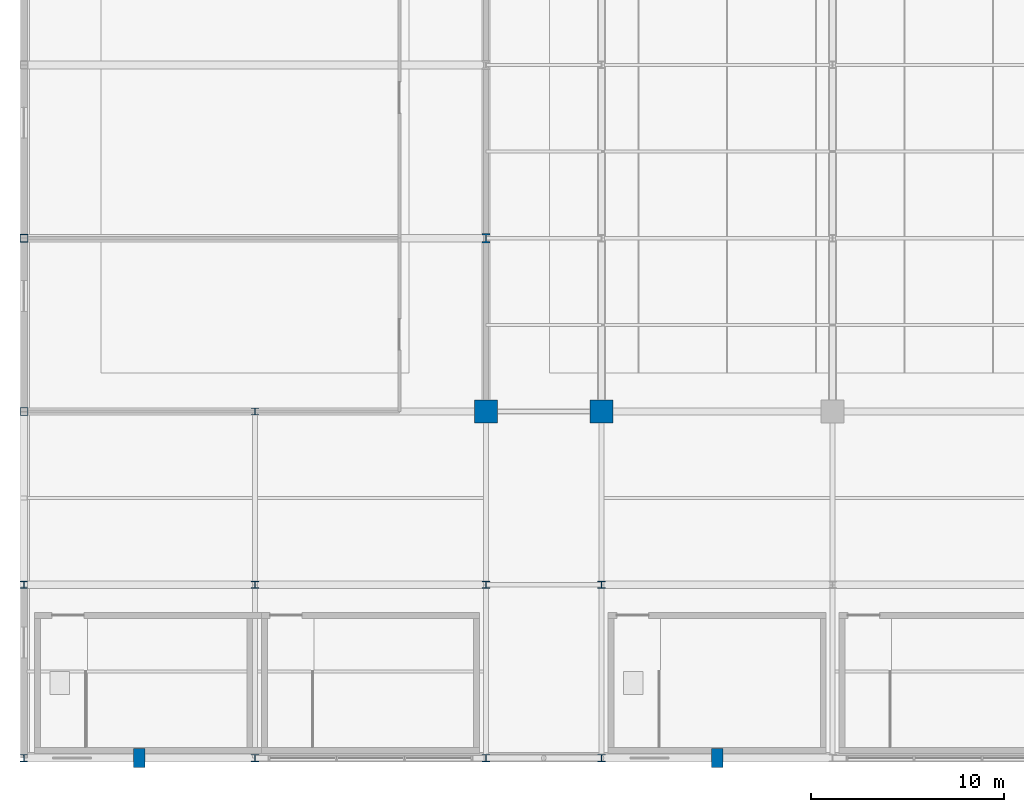
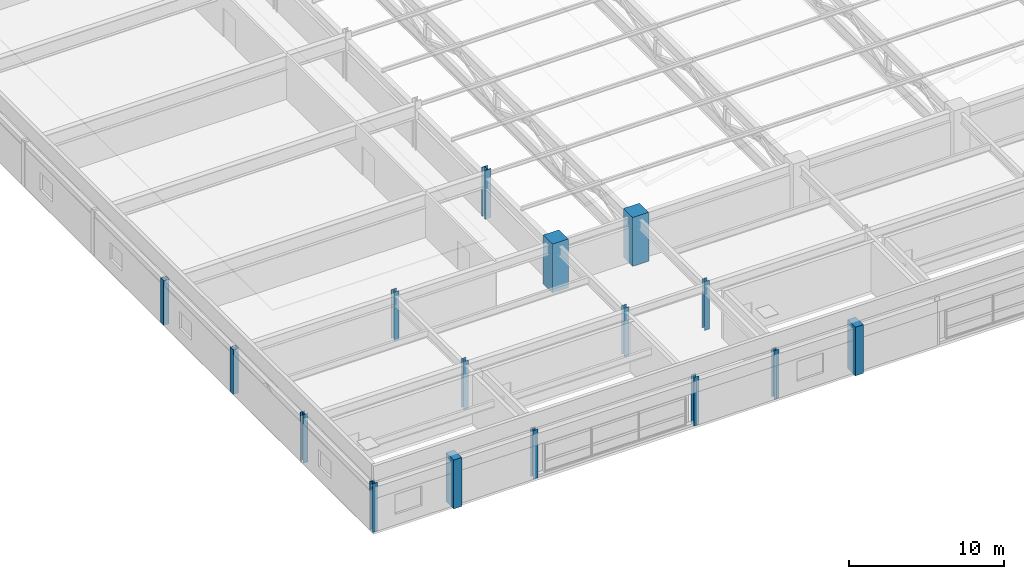
# One storey, part 1 of 108: 16 columns.
"""IFC4 building model written with IfcOpenShell, lengths in metres."""

from ifc_helpers import new_model, si_unit, direction, frame, origin, origin_2d, place, context, subcontext, project, spatial, rectangle, hollow_rectangle, i_section, extrude, material, material_profile, profile_set, type_object, element, save


model = new_model("IFC4")

# Units and contexts
model_context = context("Model", 3, precision=1e-05, world=origin(), true_north=direction((0.0, 1.0)))
body_context = subcontext(model_context, "Body", "Model", "MODEL_VIEW")
ifc_project = project(units=[si_unit("LENGTHUNIT", "METRE"), si_unit("AREAUNIT", "SQUARE_METRE"), si_unit("VOLUMEUNIT", "CUBIC_METRE"), si_unit("PLANEANGLEUNIT", "RADIAN"), si_unit("MASSUNIT", "GRAM", prefix="KILO")], contexts=[model_context])

# Site, building, storey
site_placement = place(None, origin())
site = spatial("IfcSite", under=ifc_project, at=site_placement, CompositionType="ELEMENT")
building_placement = place(site_placement, origin())
building = spatial("IfcBuilding", under=site, at=building_placement, Name="Kaldorvane Square Convention Centre", CompositionType="ELEMENT")
storey_placement = place(building_placement, frame((0.0, 0.0, 23.399993896484375)))
storey = spatial("IfcBuildingStorey", under=building, at=storey_placement, Name="L04", CompositionType="ELEMENT", Elevation=23.399993896484375)

# Columns
ifc_material_1 = material(Name="Steel ASTM A500 Gr. C", Category="steel")
ifc_material_profile_1 = material_profile(ifc_material_1, hollow_rectangle(XDim=0.406402587890625, YDim=0.406402587890625, WallThickness=0.014801025390625, at=origin_2d()), Name="HSS16X16X5/8")
ifc_profile_set_1 = profile_set([ifc_material_profile_1], Name="Steel ASTM A500 Gr. C")
column_type_1 = type_object("IfcColumnType", Name="COL-HSS-16", PredefinedType="COLUMN", material=ifc_profile_set_1)
for number, where, z_axis, x_axis, name in (
    (1, (0.0, 18.0, 0.0), (0.0, 0.0, 1.0), (1.0, 0.0, 0.0), "Column SC-14 (L04)"),
    (2, (0.0, 27.0, 0.0), (0.0, 0.0, 1.0), (1.0, 0.0, 0.0), "Column SC-14 (L04)"),
):
    element("IfcColumn", number, at=place(storey_placement, frame(where, z_axis=z_axis, x_axis=x_axis)), inside=storey, type_object=column_type_1, Name=name, PredefinedType="COLUMN", context=body_context, shape_type="SweptSolid", body=[
        extrude(hollow_rectangle(XDim=0.406402587890625, YDim=0.406402587890625, WallThickness=0.014801025390625, at=origin_2d()), origin(), (0.0, 0.0, 1.0), 3.529998779296875),
    ])
ifc_material_2 = material(Name="Concrete f'c = 55 MPa (Normalweight)", Category="concrete")
ifc_material_profile_2 = material_profile(ifc_material_2, rectangle(XDim=1.1999969482421875, YDim=1.1999969482421875, at=origin_2d()), Name="RC1200X1200")
ifc_profile_set_2 = profile_set([ifc_material_profile_2], Name="Concrete f'c = 55 MPa (Normalweight)")
column_type_2 = type_object("IfcColumnType", Name="COL-MEGA-1200", PredefinedType="COLUMN", material=ifc_profile_set_2)
for number, where, z_axis, x_axis, name in (
    (3, (24.0, 18.0, 0.0), (0.0, 0.0, 1.0), (1.0, 0.0, 0.0), "Column MC-02 (L04)"),
    (4, (30.0, 18.0, 0.0), (0.0, 0.0, 1.0), (1.0, 0.0, 0.0), "Column MC-02 (L04)"),
):
    element("IfcColumn", number, at=place(storey_placement, frame(where, z_axis=z_axis, x_axis=x_axis)), inside=storey, type_object=column_type_2, Name=name, PredefinedType="COLUMN", context=body_context, shape_type="SweptSolid", body=[
        extrude(rectangle(XDim=1.1999969482421875, YDim=1.1999969482421875, at=origin_2d()), origin(), (0.0, 0.0, 1.0), 3.850006103515625),
    ])
ifc_material_3 = material(Name="Steel ASTM A992 Gr. 50", Category="steel")
ifc_material_profile_3 = material_profile(ifc_material_3, i_section(OverallWidth=0.424102783203125, OverallDepth=0.4741973876953125, WebThickness=0.047607421875, FlangeThickness=0.0771026611328125, FilletRadius=0.0305023193359375, at=origin_2d()), Name="W14X426")
ifc_profile_set_3 = profile_set([ifc_material_profile_3], Name="Steel ASTM A992 Gr. 50")
column_type_3 = type_object("IfcColumnType", Name="COL-STL-426", PredefinedType="COLUMN", material=ifc_profile_set_3)
column_placement = place(storey_placement, frame((24.0, 27.0, 0.0), z_axis=(0.0, 0.0, 1.0), x_axis=(1.0, 0.0, 0.0)))
element("IfcColumn", 5, at=column_placement, inside=storey, type_object=column_type_3, Name="Column SC-04 (L04)", PredefinedType="COLUMN", context=body_context, shape_type="SweptSolid", body=[
    extrude(i_section(OverallWidth=0.424102783203125, OverallDepth=0.4741973876953125, WebThickness=0.047607421875, FlangeThickness=0.0771026611328125, FilletRadius=0.0305023193359375, at=origin_2d()), origin(), (0.0, 0.0, 1.0), 3.850006103515625),
])
ifc_material_profile_4 = material_profile(ifc_material_3, i_section(OverallWidth=0.3701019287109375, OverallDepth=0.360198974609375, WebThickness=0.012298583984375, FlangeThickness=0.019805908203125, FilletRadius=0.0305023193359375, at=origin_2d()), Name="W14X99")
ifc_profile_set_4 = profile_set([ifc_material_profile_4], Name="Steel ASTM A992 Gr. 50")
column_type_4 = type_object("IfcColumnType", Name="COL-STL-99", PredefinedType="COLUMN", material=ifc_profile_set_4)
for number, where, z_axis, x_axis, name in (
    (6, (0.0, 0.0, 0.0), (0.0, 0.0, 1.0), (1.0, 0.0, 0.0), "Column SC-12 (L04)"),
    (7, (0.0, 9.0, 0.0), (0.0, 0.0, 1.0), (1.0, 0.0, 0.0), "Column SC-12 (L04)"),
    (8, (12.0, 0.0, 0.0), (0.0, 0.0, 1.0), (1.0, 0.0, 0.0), "Column SC-12 (L04)"),
    (9, (12.0, 9.0, 0.0), (0.0, 0.0, 1.0), (1.0, 0.0, 0.0), "Column SC-12 (L04)"),
    (10, (12.0, 18.0, 0.0), (0.0, 0.0, 1.0), (1.0, 0.0, 0.0), "Column SC-12 (L04)"),
    (11, (24.0, 0.0, 0.0), (0.0, 0.0, 1.0), (1.0, 0.0, 0.0), "Column SC-12 (L04)"),
    (12, (24.0, 9.0, 0.0), (0.0, 0.0, 1.0), (1.0, 0.0, 0.0), "Column SC-12 (L04)"),
    (13, (30.0, 0.0, 0.0), (0.0, 0.0, 1.0), (1.0, 0.0, 0.0), "Column SC-12 (L04)"),
    (14, (30.0, 9.0, 0.0), (0.0, 0.0, 1.0), (1.0, 0.0, 0.0), "Column SC-12 (L04)"),
):
    element("IfcColumn", number, at=place(storey_placement, frame(where, z_axis=z_axis, x_axis=x_axis)), inside=storey, type_object=column_type_4, Name=name, PredefinedType="COLUMN", context=body_context, shape_type="SweptSolid", body=[
        extrude(i_section(OverallWidth=0.3701019287109375, OverallDepth=0.360198974609375, WebThickness=0.012298583984375, FlangeThickness=0.019805908203125, FilletRadius=0.0305023193359375, at=origin_2d()), origin(), (0.0, 0.0, 1.0), 3.850006103515625),
    ])
ifc_material_profile_5 = material_profile(ifc_material_2, rectangle(XDim=0.600006103515625, YDim=1.0, at=origin_2d()), Name="PIL1000X600")
ifc_profile_set_5 = profile_set([ifc_material_profile_5], Name="Concrete f'c = 55 MPa (Normalweight)")
column_type_5 = type_object("IfcColumnType", Name="PIL-BRUT-1000", PredefinedType="PILASTER", material=ifc_profile_set_5)
for number, where, z_axis, x_axis, name in (
    (15, (6.0, 0.0, 0.0), (0.0, 0.0, 1.0), (1.0, 0.0, 0.0), "Brutalist Colonnade Pilaster (L04)"),
    (16, (36.0, 0.0, 0.0), (0.0, 0.0, 1.0), (1.0, 0.0, 0.0), "Brutalist Colonnade Pilaster (L04)"),
):
    element("IfcColumn", number, at=place(storey_placement, frame(where, z_axis=z_axis, x_axis=x_axis)), inside=storey, type_object=column_type_5, Name=name, PredefinedType="PILASTER", context=body_context, shape_type="SweptSolid", body=[
        extrude(rectangle(XDim=0.600006103515625, YDim=1.0, at=origin_2d()), origin(), (0.0, 0.0, 1.0), 3.850006103515625),
    ])

save(model, "model.ifc")
